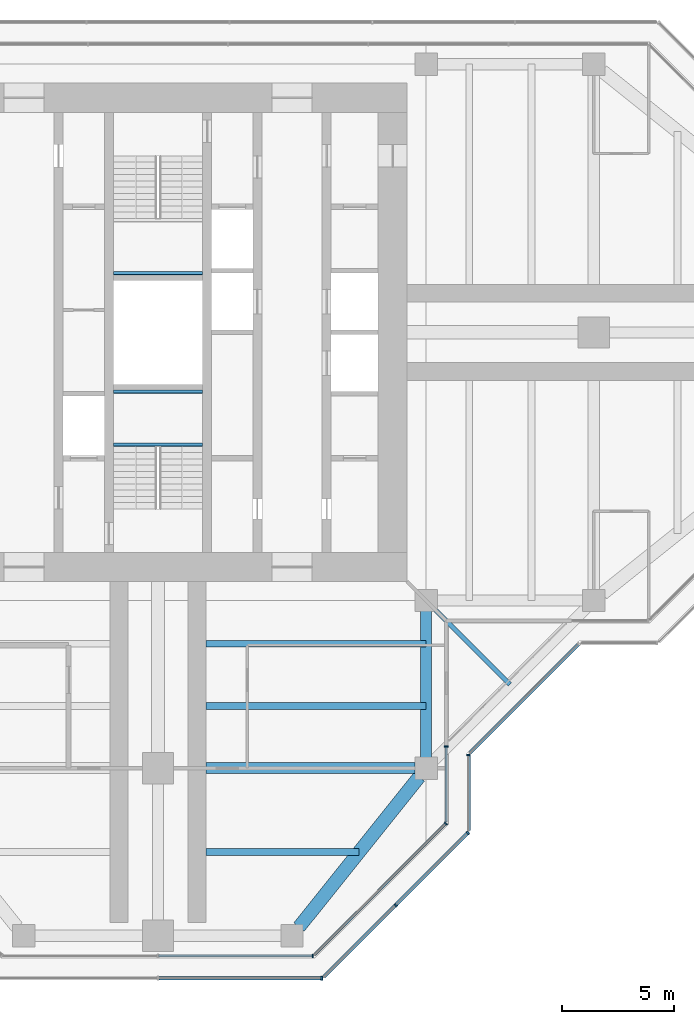
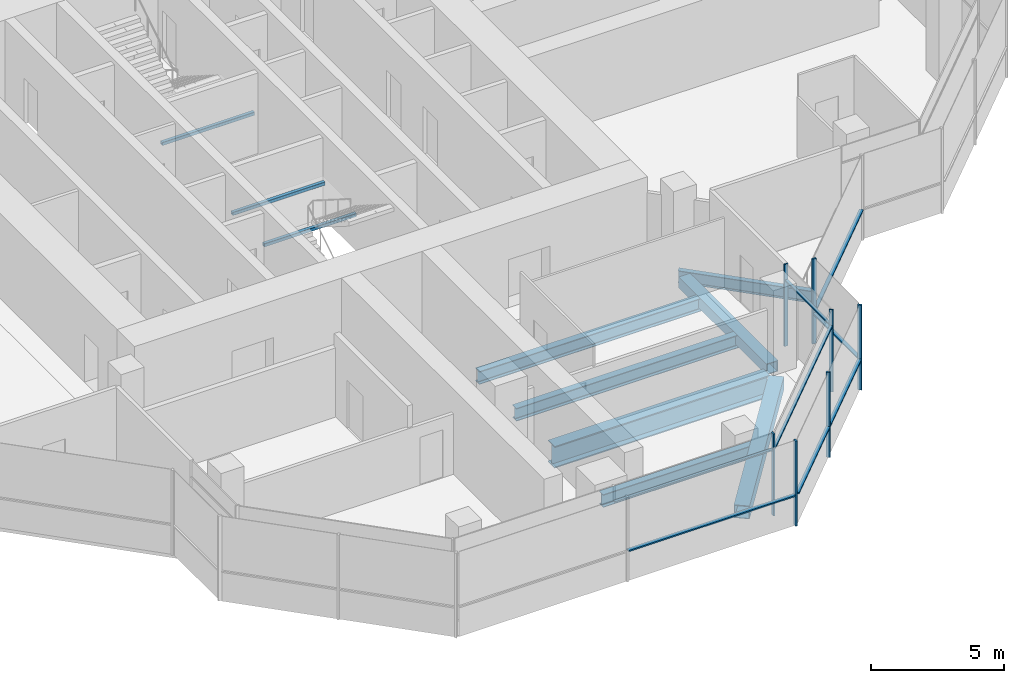
# One storey, part 4 of 15: 15 members, 10 beams, 7 elements without a shape of their own.
"""IFC4 building model written with IfcOpenShell, lengths in metres."""

from ifc_helpers import new_model, si_unit, direction, frame, origin, origin_2d, place, context, subcontext, project, spatial, rectangle, hollow_rectangle, i_section, extrude, material, material_profile, profile_set, type_object, element, aggregate, save


model = new_model("IFC4")

# Units and contexts
model_context = context("Model", 3, precision=1e-05, world=origin(), true_north=direction((0.0, 1.0)))
body_context = subcontext(model_context, "Body", "Model", "MODEL_VIEW")
ifc_project = project(units=[si_unit("LENGTHUNIT", "METRE"), si_unit("AREAUNIT", "SQUARE_METRE"), si_unit("VOLUMEUNIT", "CUBIC_METRE"), si_unit("PLANEANGLEUNIT", "RADIAN"), si_unit("MASSUNIT", "GRAM", prefix="KILO")], contexts=[model_context])

# Site, building, storey
site_placement = place(None, origin())
site = spatial("IfcSite", under=ifc_project, at=site_placement, CompositionType="ELEMENT")
building_placement = place(site_placement, origin())
building = spatial("IfcBuilding", under=site, at=building_placement, Name="Mizan Broadcast Tower", CompositionType="ELEMENT")
storey_placement = place(building_placement, frame((0.0, 0.0, 279.0)))
storey = spatial("IfcBuildingStorey", under=building, at=storey_placement, Name="L66", CompositionType="ELEMENT", Elevation=279.0)

# Beams
ifc_material_1 = material(Name="Steel S355", Category="steel")
ifc_material_profile_1 = material_profile(ifc_material_1, hollow_rectangle(XDim=0.5, YDim=0.5, WallThickness=0.030029296875, at=origin_2d()), Name="BOX 500x500x30")
ifc_profile_set_1 = profile_set([ifc_material_profile_1], Name="Steel S355")
beam_type_1 = type_object("IfcBeamType", Name="EDGE BEAM BOX 500x500x30", PredefinedType="SPANDREL", material=ifc_profile_set_1)
beam_1_placement = place(storey_placement, frame((12.0, -12.449951171875, -0.3798828125), z_axis=(0.0, -1.0, 0.0), x_axis=(1.0, 0.0, 0.0)))
element("IfcBeam", 1, at=beam_1_placement, inside=storey, type_object=beam_type_1, Name="Edge beam BOX 500x500x30 L66 south arm", PredefinedType="SPANDREL", context=body_context, shape_type="SweptSolid", body=[
    extrude(hollow_rectangle(XDim=0.5, YDim=0.5, WallThickness=0.030029296875, at=origin_2d()), origin(), (0.0, 0.0, 1.0), 6.60009765625),
])
ifc_material_2 = material(Name="Steel S355", Category="steel")
ifc_material_profile_2 = material_profile(ifc_material_2, hollow_rectangle(XDim=0.60009765625, YDim=0.60009765625, WallThickness=0.030029296875, at=origin_2d()), Name="BOX 600x600x30")
ifc_profile_set_2 = profile_set([ifc_material_profile_2], Name="Steel S355")
beam_type_2 = type_object("IfcBeamType", Name="EDGE BEAM BOX 600x600x30", PredefinedType="SPANDREL", material=ifc_profile_set_2)
beam_2_placement = place(storey_placement, frame((11.687744140625, -19.890380859375, -0.429931640625), z_axis=(-0.62470196761, -0.780863273348, 0.0), x_axis=(0.780863273348, -0.62470196761, 0.0)))
element("IfcBeam", 2, at=beam_2_placement, inside=storey, type_object=beam_type_2, Name="Edge beam BOX 600x600x30 L66 south arm", PredefinedType="SPANDREL", context=body_context, shape_type="SweptSolid", body=[
    extrude(hollow_rectangle(XDim=0.60009765625, YDim=0.60009765625, WallThickness=0.030029296875, at=origin_2d()), origin(), (0.0, 0.0, 1.0), 8.60498046875),
])
ifc_material_3 = material(Name="Steel S460", Category="steel")
ifc_material_profile_3 = material_profile(ifc_material_3, i_section(OverallWidth=0.5, OverallDepth=1.0, WebThickness=0.02490234375, FlangeThickness=0.050048828125, at=origin_2d()), Name="WPG 1000x500")
ifc_profile_set_3 = profile_set([ifc_material_profile_3], Name="Steel S460")
beam_type_3 = type_object("IfcBeamType", Name="GIRDER WPG 1000x500", PredefinedType="BEAM", material=ifc_profile_set_3)
beam_3_placement = place(storey_placement, frame((11.5, -19.5, -0.6298828125), z_axis=(-1.0, 0.0, 0.0), x_axis=(0.0, -1.0, 0.0)))
element("IfcBeam", 3, at=beam_3_placement, inside=storey, type_object=beam_type_3, Name="Girder WPG 1000x500 L66 south arm", PredefinedType="BEAM", context=body_context, shape_type="SweptSolid", body=[
    extrude(i_section(OverallWidth=0.5, OverallDepth=1.0, WebThickness=0.02490234375, FlangeThickness=0.050048828125, at=origin_2d()), origin(), (0.0, 0.0, 1.0), 9.35009765625),
])

# Curtain wall, member
ifc_material_4 = material(Name="Aluminium framed glazing", Category="aluminium")
curtain_wall_type_1 = type_object("IfcCurtainWallType", Name="INNER SKIN TOP ZONE", PredefinedType="USERDEFINED", material=ifc_material_4)
curtain_wall_1_placement = place(storey_placement, origin())
curtain_wall_1 = element("IfcCurtainWall", 4, at=curtain_wall_1_placement, inside=storey, type_object=curtain_wall_type_1, Name="Inner skin top zone L66 S end", ObjectType="INNER SKIN TOP ZONE", PredefinedType="USERDEFINED")
ifc_material_5 = material(Name="Aluminium, pale anodised", Category="aluminium")
ifc_material_profile_4 = material_profile(ifc_material_5, rectangle(XDim=0.159912109375, YDim=0.06005859375, at=origin_2d()), Name="MULLION 160x60")
ifc_profile_set_4 = profile_set([ifc_material_profile_4], Name="Aluminium, pale anodised")
member_type_1 = type_object("IfcMemberType", Name="INNER SKIN MULLION 60x160", PredefinedType="MULLION", material=ifc_profile_set_4)
member_1_placement = place(storey_placement, frame((6.928466796875, -27.89990234375, 0.0), z_axis=(0.0, 0.0, 1.0), x_axis=(0.0, 1.0, 0.0)))
member_1 = element("IfcMember", 5, at=member_1_placement, type_object=member_type_1, Name="Inner skin top zone L66 S end mullion 3", PredefinedType="MULLION", context=body_context, shape_type="SweptSolid", body=[
    extrude(rectangle(XDim=0.159912109375, YDim=0.06005859375, at=origin_2d()), origin(), (0.0, 0.0, 1.0), 3.77001953125),
])

curtain_wall_2_placement = place(storey_placement, origin())
curtain_wall_2 = element("IfcCurtainWall", 6, at=curtain_wall_2_placement, inside=storey, type_object=curtain_wall_type_1, Name="Inner skin top zone L66 S chamfer", ObjectType="INNER SKIN TOP ZONE", PredefinedType="USERDEFINED")
member_2_placement = place(storey_placement, frame((12.87890625, -21.979736328125, 0.0), z_axis=(0.0, 0.0, 1.0), x_axis=(-0.707106781187, 0.707106781187, 0.0)))
member_2 = element("IfcMember", 7, at=member_2_placement, type_object=member_type_1, Name="Inner skin top zone L66 S chamfer mullion 2", PredefinedType="MULLION", context=body_context, shape_type="SweptSolid", body=[
    extrude(rectangle(XDim=0.159912109375, YDim=0.06005859375, at=origin_2d()), origin(), (0.0, 0.0, 1.0), 3.77001953125),
])

curtain_wall_3_placement = place(storey_placement, origin())
curtain_wall_3 = element("IfcCurtainWall", 8, at=curtain_wall_3_placement, inside=storey, type_object=curtain_wall_type_1, Name="Inner skin top zone L66 S side", ObjectType="INNER SKIN TOP ZONE", PredefinedType="USERDEFINED")
member_3_placement = place(storey_placement, frame((12.89990234375, -18.530029296875, 0.0), z_axis=(0.0, 0.0, 1.0), x_axis=(-1.0, 0.0, 0.0)))
member_3 = element("IfcMember", 9, at=member_3_placement, type_object=member_type_1, Name="Inner skin top zone L66 S side mullion 2", PredefinedType="MULLION", context=body_context, shape_type="SweptSolid", body=[
    extrude(rectangle(XDim=0.159912109375, YDim=0.06005859375, at=origin_2d()), origin(), (0.0, 0.0, 1.0), 3.77001953125),
])

# Member
ifc_material_6 = material(Name="Aluminium, pale anodised", Category="aluminium")
ifc_material_profile_5 = material_profile(ifc_material_6, rectangle(XDim=0.1201171875, YDim=0.06005859375, at=origin_2d()), Name="TRANSOM 120x60")
ifc_profile_set_5 = profile_set([ifc_material_profile_5], Name="Aluminium, pale anodised")
member_type_2 = type_object("IfcMemberType", Name="INNER SKIN TRANSOM 60x120", PredefinedType="USERDEFINED", material=ifc_profile_set_5)
member_4_placement = place(storey_placement, frame((0.030029296875, -27.89990234375, 3.030029296875), z_axis=(1.0, 0.0, 0.0), x_axis=(0.0, 1.0, 0.0)))
member_4 = element("IfcMember", 10, at=member_4_placement, type_object=member_type_2, Name="Inner skin top zone L66 S end transom 2.1", ObjectType="TRANSOM", PredefinedType="USERDEFINED", context=body_context, shape_type="SweptSolid", body=[
    extrude(rectangle(XDim=0.1201171875, YDim=0.06005859375, at=origin_2d()), origin(), (0.0, 0.0, 1.0), 6.86865234375),
])

aggregate(curtain_wall_1, [member_1, member_4])

member_5_placement = place(storey_placement, frame((7.0009765625, -27.857666015625, 3.030029296875), z_axis=(0.707106781187, 0.707106781187, 0.0), x_axis=(-0.707106781187, 0.707106781187, 0.0)))
member_5 = element("IfcMember", 11, at=member_5_placement, type_object=member_type_2, Name="Inner skin top zone L66 S chamfer transom 1.1", ObjectType="TRANSOM", PredefinedType="USERDEFINED", context=body_context, shape_type="SweptSolid", body=[
    extrude(rectangle(XDim=0.1201171875, YDim=0.06005859375, at=origin_2d()), origin(), (0.0, 0.0, 1.0), 8.28271484375),
])

aggregate(curtain_wall_2, [member_2, member_5])

member_6_placement = place(storey_placement, frame((12.89990234375, -21.898681640625, 3.030029296875), z_axis=(0.0, 1.0, 0.0), x_axis=(-1.0, 0.0, 0.0)))
member_6 = element("IfcMember", 12, at=member_6_placement, type_object=member_type_2, Name="Inner skin top zone L66 S side transom 1.1", ObjectType="TRANSOM", PredefinedType="USERDEFINED", context=body_context, shape_type="SweptSolid", body=[
    extrude(rectangle(XDim=0.1201171875, YDim=0.06005859375, at=origin_2d()), origin(), (0.0, 0.0, 1.0), 3.338623046875),
])

aggregate(curtain_wall_3, [member_3, member_6])

# Beams
ifc_material_7 = material(Name="Steel S355", Category="steel")
ifc_material_profile_6 = material_profile(ifc_material_7, hollow_rectangle(XDim=0.14990234375, YDim=0.14990234375, WallThickness=0.008056640625, InnerFilletRadius=0.008056640625, OuterFilletRadius=0.011962890625, at=origin_2d()), Name="SHS 150x150x8")
ifc_profile_set_6 = profile_set([ifc_material_profile_6], Name="Steel S355")
beam_type_4 = type_object("IfcBeamType", Name="LANDING TRIMMER SHS 150x150x8", PredefinedType="BEAM", material=ifc_profile_set_6)
for number, where, z_axis, x_axis, name in (
    (13, (-2.0, -5.02490234375, 1.675048828125), (1.0, 0.0, 0.0), (0.0, 1.0, 0.0), "Stair A landing trimmer L66"),
    (14, (-2.0, -2.64990234375, 1.675048828125), (1.0, 0.0, 0.0), (0.0, 1.0, 0.0), "Stair A landing trimmer L66"),
    (15, (2.0, 2.64990234375, 1.675048828125), (-1.0, 0.0, 0.0), (0.0, -1.0, 0.0), "Stair B landing trimmer L66"),
):
    element("IfcBeam", number, at=place(storey_placement, frame(where, z_axis=z_axis, x_axis=x_axis)), inside=storey, type_object=beam_type_4, Name=name, PredefinedType="BEAM", context=body_context, shape_type="SweptSolid", body=[
        extrude(hollow_rectangle(XDim=0.14990234375, YDim=0.14990234375, WallThickness=0.008056640625, InnerFilletRadius=0.008056640625, OuterFilletRadius=0.011962890625, at=origin_2d()), origin(), (0.0, 0.0, 1.0), 4.0),
    ])

# Curtain wall, member
ifc_material_8 = material(Name="Aluminium framed glazing", Category="aluminium")
curtain_wall_type_2 = type_object("IfcCurtainWallType", Name="OUTER SKIN", PredefinedType="USERDEFINED", material=ifc_material_8)
curtain_wall_4_placement = place(storey_placement, origin())
curtain_wall_4 = element("IfcCurtainWall", 16, at=curtain_wall_4_placement, inside=storey, type_object=curtain_wall_type_2, Name="Outer skin L66 S end", ObjectType="OUTER SKIN", PredefinedType="USERDEFINED")
ifc_material_9 = material(Name="Aluminium, pale anodised", Category="aluminium")
ifc_material_profile_7 = material_profile(ifc_material_9, rectangle(XDim=0.159912109375, YDim=0.080078125, at=origin_2d()), Name="MULLION 160x80")
ifc_profile_set_7 = profile_set([ifc_material_profile_7], Name="Aluminium, pale anodised")
member_type_3 = type_object("IfcMemberType", Name="OUTER SKIN MULLION 80x160", PredefinedType="MULLION", material=ifc_profile_set_7)
member_7_placement = place(storey_placement, frame((7.332763671875, -28.89990234375, 0.0), z_axis=(0.0, 0.0, 1.0), x_axis=(0.0, 1.0, 0.0)))
member_7 = element("IfcMember", 17, at=member_7_placement, type_object=member_type_3, Name="Outer skin L66 S end mullion 3", PredefinedType="MULLION", context=body_context, shape_type="SweptSolid", body=[
    extrude(rectangle(XDim=0.159912109375, YDim=0.080078125, at=origin_2d()), origin(), (0.0, 0.0, 1.0), 3.89990234375),
])

# Curtain wall, members
curtain_wall_5_placement = place(storey_placement, origin())
curtain_wall_5 = element("IfcCurtainWall", 18, at=curtain_wall_5_placement, inside=storey, type_object=curtain_wall_type_2, Name="Outer skin L66 S chamfer", ObjectType="OUTER SKIN", PredefinedType="USERDEFINED")
member_8_placement = place(storey_placement, frame((10.636474609375, -25.636474609375, 0.0), z_axis=(0.0, 0.0, 1.0), x_axis=(-0.707106781187, 0.707106781187, 0.0)))
member_8 = element("IfcMember", 19, at=member_8_placement, type_object=member_type_3, Name="Outer skin L66 S chamfer mullion 2", PredefinedType="MULLION", context=body_context, shape_type="SweptSolid", body=[
    extrude(rectangle(XDim=0.159912109375, YDim=0.080078125, at=origin_2d()), origin(), (0.0, 0.0, 1.0), 3.89990234375),
])
member_9_placement = place(storey_placement, frame((13.871826171875, -22.401123046875, 0.0), z_axis=(0.0, 0.0, 1.0), x_axis=(-0.707106781187, 0.707106781187, 0.0)))
member_9 = element("IfcMember", 20, at=member_9_placement, type_object=member_type_3, Name="Outer skin L66 S chamfer mullion 3", PredefinedType="MULLION", context=body_context, shape_type="SweptSolid", body=[
    extrude(rectangle(XDim=0.159912109375, YDim=0.080078125, at=origin_2d()), origin(), (0.0, 0.0, 1.0), 3.89990234375),
])

# Curtain wall, member
curtain_wall_6_placement = place(storey_placement, origin())
curtain_wall_6 = element("IfcCurtainWall", 21, at=curtain_wall_6_placement, inside=storey, type_object=curtain_wall_type_2, Name="Outer skin L66 S side", ObjectType="OUTER SKIN", PredefinedType="USERDEFINED")
member_10_placement = place(storey_placement, frame((13.89990234375, -18.912841796875, 0.0), z_axis=(0.0, 0.0, 1.0), x_axis=(-1.0, 0.0, 0.0)))
member_10 = element("IfcMember", 22, at=member_10_placement, type_object=member_type_3, Name="Outer skin L66 S side mullion 2", PredefinedType="MULLION", context=body_context, shape_type="SweptSolid", body=[
    extrude(rectangle(XDim=0.159912109375, YDim=0.080078125, at=origin_2d()), origin(), (0.0, 0.0, 1.0), 3.89990234375),
])

# Member
ifc_material_10 = material(Name="Aluminium, pale anodised", Category="aluminium")
ifc_material_profile_8 = material_profile(ifc_material_10, rectangle(XDim=0.159912109375, YDim=0.06005859375, at=origin_2d()), Name="TRANSOM 160x60")
ifc_profile_set_8 = profile_set([ifc_material_profile_8], Name="Aluminium, pale anodised")
member_type_4 = type_object("IfcMemberType", Name="OUTER SKIN TRANSOM 60x160", PredefinedType="USERDEFINED", material=ifc_profile_set_8)
member_11_placement = place(storey_placement, frame((0.0400390625, -28.89990234375, 1.39990234375), z_axis=(1.0, 0.0, 0.0), x_axis=(0.0, 1.0, 0.0)))
member_11 = element("IfcMember", 23, at=member_11_placement, type_object=member_type_4, Name="Outer skin L66 S end transom 2.1", ObjectType="TRANSOM", PredefinedType="USERDEFINED", context=body_context, shape_type="SweptSolid", body=[
    extrude(rectangle(XDim=0.159912109375, YDim=0.06005859375, at=origin_2d()), origin(), (0.0, 0.0, 1.0), 7.252685546875),
])

aggregate(curtain_wall_4, [member_7, member_11])

member_12_placement = place(storey_placement, frame((7.429443359375, -28.843505859375, 1.39990234375), z_axis=(0.707106781187, 0.707106781187, 0.0), x_axis=(-0.707106781187, 0.707106781187, 0.0)))
member_12 = element("IfcMember", 24, at=member_12_placement, type_object=member_type_4, Name="Outer skin L66 S chamfer transom 1.1", ObjectType="TRANSOM", PredefinedType="USERDEFINED", context=body_context, shape_type="SweptSolid", body=[
    extrude(rectangle(XDim=0.159912109375, YDim=0.06005859375, at=origin_2d()), origin(), (0.0, 0.0, 1.0), 4.495361328125),
])

member_13_placement = place(storey_placement, frame((10.664794921875, -25.608154296875, 1.39990234375), z_axis=(0.707106781187, 0.707106781187, 0.0), x_axis=(-0.707106781187, 0.707106781187, 0.0)))
member_13 = element("IfcMember", 25, at=member_13_placement, type_object=member_type_4, Name="Outer skin L66 S chamfer transom 2.1", ObjectType="TRANSOM", PredefinedType="USERDEFINED", context=body_context, shape_type="SweptSolid", body=[
    extrude(rectangle(XDim=0.159912109375, YDim=0.06005859375, at=origin_2d()), origin(), (0.0, 0.0, 1.0), 4.495361328125),
])

aggregate(curtain_wall_5, [member_8, member_9, member_12, member_13])

member_14_placement = place(storey_placement, frame((13.89990234375, -22.292724609375, 1.39990234375), z_axis=(0.0, 1.0, 0.0), x_axis=(-1.0, 0.0, 0.0)))
member_14 = element("IfcMember", 26, at=member_14_placement, type_object=member_type_4, Name="Outer skin L66 S side transom 1.1", ObjectType="TRANSOM", PredefinedType="USERDEFINED", context=body_context, shape_type="SweptSolid", body=[
    extrude(rectangle(XDim=0.159912109375, YDim=0.06005859375, at=origin_2d()), origin(), (0.0, 0.0, 1.0), 3.33984375),
])

aggregate(curtain_wall_6, [member_10, member_14])

# Curtain wall, member
curtain_wall_7_placement = place(storey_placement, origin())
curtain_wall_7 = element("IfcCurtainWall", 27, at=curtain_wall_7_placement, inside=storey, type_object=curtain_wall_type_2, Name="Outer skin L66 E chamfer", ObjectType="OUTER SKIN", PredefinedType="USERDEFINED")
member_15_placement = place(storey_placement, frame((13.95654296875, -18.816162109375, 1.39990234375), z_axis=(0.707106781187, 0.707106781187, 0.0), x_axis=(-0.707106781187, 0.707106781187, 0.0)))
member_15 = element("IfcMember", 28, at=member_15_placement, type_object=member_type_4, Name="Outer skin L66 E chamfer transom 1.1", ObjectType="TRANSOM", PredefinedType="USERDEFINED", context=body_context, shape_type="SweptSolid", body=[
    extrude(rectangle(XDim=0.159912109375, YDim=0.06005859375, at=origin_2d()), origin(), (0.0, 0.0, 1.0), 6.87255859375),
])
aggregate(curtain_wall_7, [member_15])

# Beams
ifc_material_11 = material(Name="Steel S355", Category="steel")
ifc_material_profile_9 = material_profile(ifc_material_11, i_section(OverallWidth=0.300048828125, OverallDepth=0.590087890625, WebThickness=0.012939453125, FlangeThickness=0.02490234375, FilletRadius=0.027099609375, at=origin_2d()), Name="HEA 600")
ifc_profile_set_9 = profile_set([ifc_material_profile_9], Name="Steel S355")
beam_type_5 = type_object("IfcBeamType", Name="SECONDARY BEAM HEA 600", PredefinedType="JOIST", material=ifc_profile_set_9)
for number, where, z_axis, x_axis, name in (
    (29, (12.0, -13.933349609375, -0.425048828125), (-1.0, 0.0, 0.0), (0.0, -1.0, 0.0), "Secondary beam HEA 600 L66 south arm"),
    (30, (12.0, -16.716552734375, -0.425048828125), (-1.0, 0.0, 0.0), (0.0, -1.0, 0.0), "Secondary beam HEA 600 L66 south arm"),
):
    element("IfcBeam", number, at=place(storey_placement, frame(where, z_axis=z_axis, x_axis=x_axis)), inside=storey, type_object=beam_type_5, Name=name, PredefinedType="JOIST", context=body_context, shape_type="SweptSolid", body=[
        extrude(i_section(OverallWidth=0.300048828125, OverallDepth=0.590087890625, WebThickness=0.012939453125, FlangeThickness=0.02490234375, FilletRadius=0.027099609375, at=origin_2d()), origin(), (0.0, 0.0, 1.0), 9.85009765625),
    ])
beam_4_placement = place(storey_placement, frame((9.0, -23.25, -0.425048828125), z_axis=(-1.0, 0.0, 0.0), x_axis=(0.0, -1.0, 0.0)))
element("IfcBeam", 31, at=beam_4_placement, inside=storey, type_object=beam_type_5, Name="Secondary beam HEA 600 L66 south arm", PredefinedType="JOIST", context=body_context, shape_type="SweptSolid", body=[
    extrude(i_section(OverallWidth=0.300048828125, OverallDepth=0.590087890625, WebThickness=0.012939453125, FlangeThickness=0.02490234375, FilletRadius=0.027099609375, at=origin_2d()), origin(), (0.0, 0.0, 1.0), 6.85009765625),
])
ifc_material_12 = material(Name="Steel S355", Category="steel")
ifc_material_profile_10 = material_profile(ifc_material_12, i_section(OverallWidth=0.2099609375, OverallDepth=0.550048828125, WebThickness=0.010986328125, FlangeThickness=0.01708984375, FilletRadius=0.02392578125, at=origin_2d()), Name="IPE 550")
ifc_profile_set_10 = profile_set([ifc_material_profile_10], Name="Steel S355")
beam_type_6 = type_object("IfcBeamType", Name="SECONDARY BEAM IPE 550", PredefinedType="JOIST", material=ifc_profile_set_10)
beam_5_placement = place(storey_placement, frame((12.0, -12.0, -0.405029296875), z_axis=(0.707106781187, -0.707106781187, 0.0), x_axis=(0.707106781187, 0.707106781187, 0.0)))
element("IfcBeam", 32, at=beam_5_placement, inside=storey, type_object=beam_type_6, Name="Winter garden beam L66 S", PredefinedType="JOIST", context=body_context, shape_type="SweptSolid", body=[
    extrude(i_section(OverallWidth=0.2099609375, OverallDepth=0.550048828125, WebThickness=0.010986328125, FlangeThickness=0.01708984375, FilletRadius=0.02392578125, at=origin_2d()), origin(), (0.0, 0.0, 1.0), 5.30322265625),
])

save(model, "model.ifc")
